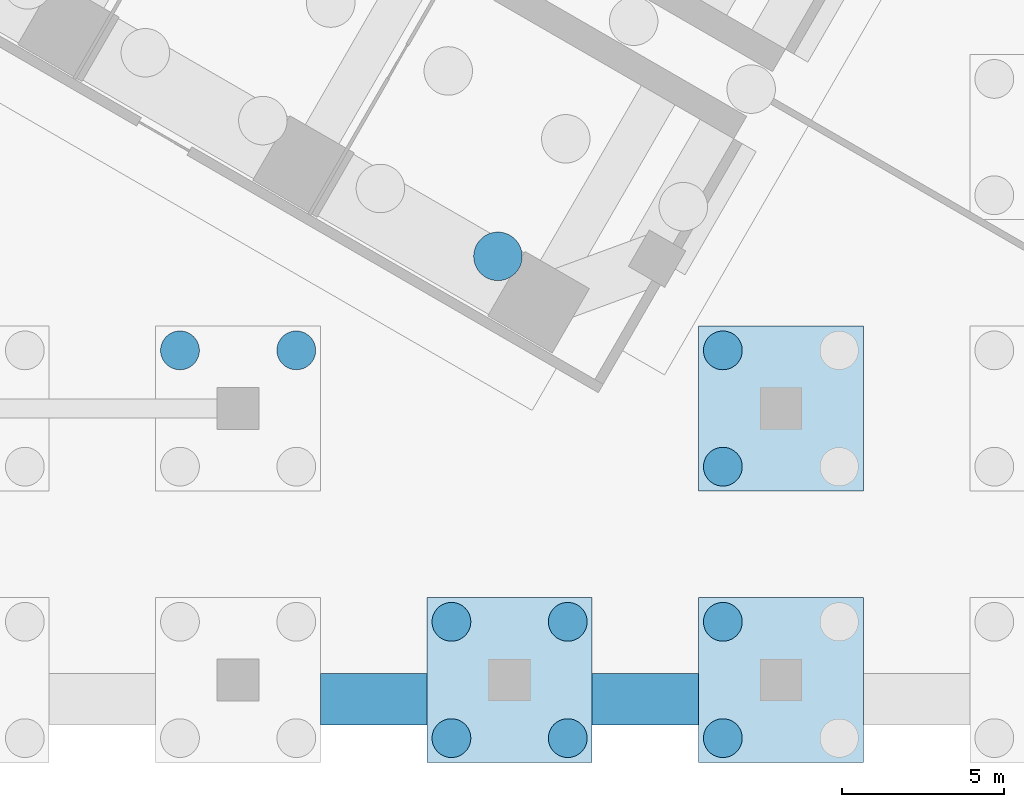
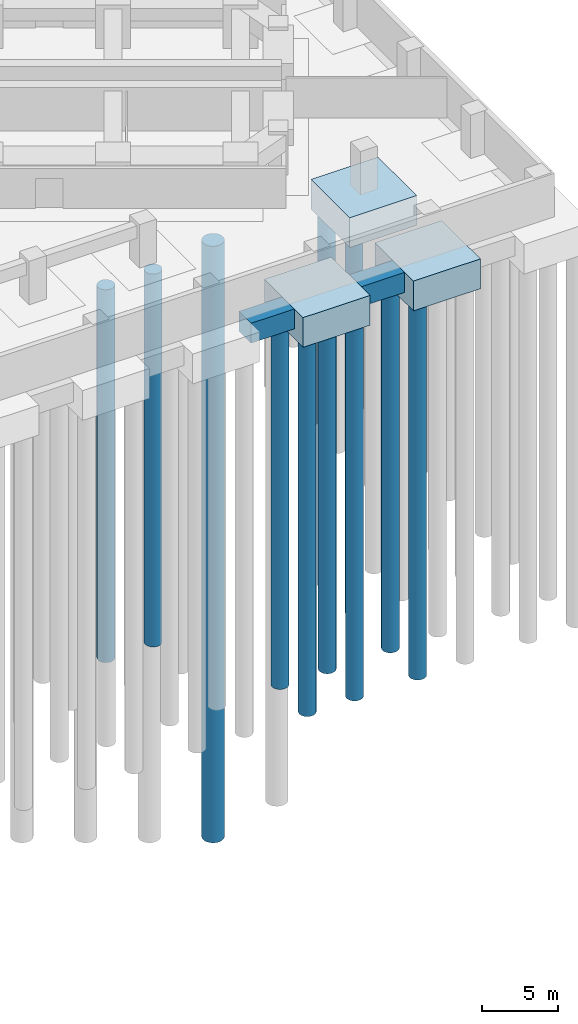
# One storey, part 21 of 73: 11 piles, 5 footings.
"""IFC4 building model written with IfcOpenShell, lengths in metres."""

from ifc_helpers import new_model, si_unit, direction, frame, origin, origin_2d, place, context, subcontext, project, spatial, polyline, circle, outline, extrude, material, material_profile, profile_set, type_object, element, save


model = new_model("IFC4")

# Units and contexts
model_context = context("Model", 3, precision=1e-05, world=origin(), true_north=direction((0.0, 1.0)))
body_context = subcontext(model_context, "Body", "Model", "MODEL_VIEW")
ifc_project = project(units=[si_unit("LENGTHUNIT", "METRE"), si_unit("AREAUNIT", "SQUARE_METRE"), si_unit("VOLUMEUNIT", "CUBIC_METRE"), si_unit("PLANEANGLEUNIT", "RADIAN"), si_unit("MASSUNIT", "GRAM", prefix="KILO")], contexts=[model_context])

# Site, building, storey
site_placement = place(None, origin())
site = spatial("IfcSite", under=ifc_project, at=site_placement, CompositionType="ELEMENT")
building_placement = place(site_placement, origin())
building = spatial("IfcBuilding", under=site, at=building_placement, Name="Impinga Residences", CompositionType="ELEMENT")
storey_placement = place(building_placement, frame((0.0, 0.0, -10.5)))
storey = spatial("IfcBuildingStorey", under=building, at=storey_placement, Name="B3", CompositionType="ELEMENT", Elevation=-10.5)

# Piles
ifc_material_1 = material(Name="Concrete C35/45", Category="concrete")
ifc_material_profile_1 = material_profile(ifc_material_1, circle(Radius=0.75, at=origin_2d()), Name="D1500")
ifc_profile_set_1 = profile_set([ifc_material_profile_1], Name="Concrete C35/45")
pile_type_1 = type_object("IfcPileType", Name="BP1 bored pile D1500", PredefinedType="BORED", material=ifc_profile_set_1)
pile_1_placement = place(storey_placement, frame((33.239501953125, -28.890380859375, -4.0), z_axis=(0.0, 0.0, -1.0), x_axis=(1.0, 0.0, 0.0)))
element("IfcPile", 1, at=pile_1_placement, inside=storey, type_object=pile_type_1, Name="Raft pile BP1-002", PredefinedType="BORED", context=body_context, shape_type="SweptSolid", body=[
    extrude(outline(polyline([(0.75, 0.0), (0.746337890625, 0.073486328125), (0.735595703125, 0.146240234375), (0.7177734375, 0.2177734375), (0.69287109375, 0.287109375), (0.661376953125, 0.353515625), (0.62353515625, 0.416748046875), (0.579833984375, 0.475830078125), (0.5302734375, 0.5302734375), (0.475830078125, 0.579833984375), (0.416748046875, 0.62353515625), (0.353515625, 0.661376953125), (0.287109375, 0.69287109375), (0.2177734375, 0.7177734375), (0.146240234375, 0.735595703125), (0.073486328125, 0.746337890625), (0.0, 0.75), (-0.073486328125, 0.746337890625), (-0.146240234375, 0.735595703125), (-0.2177734375, 0.7177734375), (-0.287109375, 0.69287109375), (-0.353515625, 0.661376953125), (-0.416748046875, 0.62353515625), (-0.475830078125, 0.579833984375), (-0.5302734375, 0.5302734375), (-0.579833984375, 0.475830078125), (-0.62353515625, 0.416748046875), (-0.661376953125, 0.353515625), (-0.69287109375, 0.287109375), (-0.7177734375, 0.2177734375), (-0.735595703125, 0.146240234375), (-0.746337890625, 0.073486328125), (-0.75, 0.0), (-0.746337890625, -0.073486328125), (-0.735595703125, -0.146240234375), (-0.7177734375, -0.2177734375), (-0.69287109375, -0.287109375), (-0.661376953125, -0.353515625), (-0.62353515625, -0.416748046875), (-0.579833984375, -0.475830078125), (-0.5302734375, -0.5302734375), (-0.475830078125, -0.579833984375), (-0.416748046875, -0.62353515625), (-0.353515625, -0.661376953125), (-0.287109375, -0.69287109375), (-0.2177734375, -0.7177734375), (-0.146240234375, -0.735595703125), (-0.073486328125, -0.746337890625), (0.0, -0.75), (0.073486328125, -0.746337890625), (0.146240234375, -0.735595703125), (0.2177734375, -0.7177734375), (0.287109375, -0.69287109375), (0.353515625, -0.661376953125), (0.416748046875, -0.62353515625), (0.475830078125, -0.579833984375), (0.5302734375, -0.5302734375), (0.579833984375, -0.475830078125), (0.62353515625, -0.416748046875), (0.661376953125, -0.353515625), (0.69287109375, -0.287109375), (0.7177734375, -0.2177734375), (0.735595703125, -0.146240234375), (0.746337890625, -0.073486328125), (0.75, 0.0)])), origin(), (0.0, 0.0, 1.0), 48.0),
])
ifc_material_profile_2 = material_profile(ifc_material_1, circle(Radius=0.60009765625, at=origin_2d()), Name="D1200")
ifc_profile_set_2 = profile_set([ifc_material_profile_2], Name="Concrete C35/45")
pile_type_2 = type_object("IfcPileType", Name="BP2 bored pile D1200", PredefinedType="BORED", material=ifc_profile_set_2)
pile_2_placement = place(storey_placement, frame((27.0, -31.800048828125, -2.39990234375), z_axis=(0.0, 0.0, -1.0), x_axis=(1.0, 0.0, 0.0)))
element("IfcPile", 2, at=pile_2_placement, inside=storey, type_object=pile_type_2, Name="Cap pile BP2 10/B-3", PredefinedType="BORED", context=body_context, shape_type="SweptSolid", body=[
    extrude(outline(polyline([(0.60009765625, 0.0), (0.59716796875, 0.058837890625), (0.58837890625, 0.116943359375), (0.57421875, 0.174072265625), (0.554443359375, 0.2294921875), (0.529052734375, 0.282958984375), (0.498779296875, 0.333251953125), (0.4638671875, 0.380615234375), (0.42431640625, 0.42431640625), (0.380615234375, 0.4638671875), (0.333251953125, 0.498779296875), (0.282958984375, 0.529052734375), (0.2294921875, 0.554443359375), (0.174072265625, 0.57421875), (0.116943359375, 0.58837890625), (0.058837890625, 0.59716796875), (0.0, 0.60009765625), (-0.058837890625, 0.59716796875), (-0.116943359375, 0.58837890625), (-0.174072265625, 0.57421875), (-0.2294921875, 0.554443359375), (-0.282958984375, 0.529052734375), (-0.333251953125, 0.498779296875), (-0.380615234375, 0.4638671875), (-0.42431640625, 0.42431640625), (-0.4638671875, 0.380615234375), (-0.498779296875, 0.333251953125), (-0.529052734375, 0.282958984375), (-0.554443359375, 0.2294921875), (-0.57421875, 0.174072265625), (-0.58837890625, 0.116943359375), (-0.59716796875, 0.058837890625), (-0.60009765625, 0.0), (-0.59716796875, -0.058837890625), (-0.58837890625, -0.116943359375), (-0.57421875, -0.174072265625), (-0.554443359375, -0.2294921875), (-0.529052734375, -0.282958984375), (-0.498779296875, -0.333251953125), (-0.4638671875, -0.380615234375), (-0.42431640625, -0.42431640625), (-0.380615234375, -0.4638671875), (-0.333251953125, -0.498779296875), (-0.282958984375, -0.529052734375), (-0.2294921875, -0.554443359375), (-0.174072265625, -0.57421875), (-0.116943359375, -0.58837890625), (-0.058837890625, -0.59716796875), (0.0, -0.60009765625), (0.058837890625, -0.59716796875), (0.116943359375, -0.58837890625), (0.174072265625, -0.57421875), (0.2294921875, -0.554443359375), (0.282958984375, -0.529052734375), (0.333251953125, -0.498779296875), (0.380615234375, -0.4638671875), (0.42431640625, -0.42431640625), (0.4638671875, -0.380615234375), (0.498779296875, -0.333251953125), (0.529052734375, -0.282958984375), (0.554443359375, -0.2294921875), (0.57421875, -0.174072265625), (0.58837890625, -0.116943359375), (0.59716796875, -0.058837890625), (0.60009765625, 0.0)])), origin(), (0.0, 0.0, 1.0), 30.0),
])
pile_3_placement = place(storey_placement, frame((23.39990234375, -31.800048828125, -2.39990234375), z_axis=(0.0, 0.0, -1.0), x_axis=(1.0, 0.0, 0.0)))
element("IfcPile", 3, at=pile_3_placement, inside=storey, type_object=pile_type_2, Name="Cap pile BP2 10/B-4", PredefinedType="BORED", context=body_context, shape_type="SweptSolid", body=[
    extrude(outline(polyline([(0.60009765625, 0.0), (0.59716796875, 0.058837890625), (0.58837890625, 0.116943359375), (0.57421875, 0.174072265625), (0.554443359375, 0.2294921875), (0.529052734375, 0.282958984375), (0.498779296875, 0.333251953125), (0.4638671875, 0.380615234375), (0.42431640625, 0.42431640625), (0.380615234375, 0.4638671875), (0.333251953125, 0.498779296875), (0.282958984375, 0.529052734375), (0.2294921875, 0.554443359375), (0.174072265625, 0.57421875), (0.116943359375, 0.58837890625), (0.058837890625, 0.59716796875), (0.0, 0.60009765625), (-0.058837890625, 0.59716796875), (-0.116943359375, 0.58837890625), (-0.174072265625, 0.57421875), (-0.2294921875, 0.554443359375), (-0.282958984375, 0.529052734375), (-0.333251953125, 0.498779296875), (-0.380615234375, 0.4638671875), (-0.42431640625, 0.42431640625), (-0.4638671875, 0.380615234375), (-0.498779296875, 0.333251953125), (-0.529052734375, 0.282958984375), (-0.554443359375, 0.2294921875), (-0.57421875, 0.174072265625), (-0.58837890625, 0.116943359375), (-0.59716796875, 0.058837890625), (-0.60009765625, 0.0), (-0.59716796875, -0.058837890625), (-0.58837890625, -0.116943359375), (-0.57421875, -0.174072265625), (-0.554443359375, -0.2294921875), (-0.529052734375, -0.282958984375), (-0.498779296875, -0.333251953125), (-0.4638671875, -0.380615234375), (-0.42431640625, -0.42431640625), (-0.380615234375, -0.4638671875), (-0.333251953125, -0.498779296875), (-0.282958984375, -0.529052734375), (-0.2294921875, -0.554443359375), (-0.174072265625, -0.57421875), (-0.116943359375, -0.58837890625), (-0.058837890625, -0.59716796875), (0.0, -0.60009765625), (0.058837890625, -0.59716796875), (0.116943359375, -0.58837890625), (0.174072265625, -0.57421875), (0.2294921875, -0.554443359375), (0.282958984375, -0.529052734375), (0.333251953125, -0.498779296875), (0.380615234375, -0.4638671875), (0.42431640625, -0.42431640625), (0.4638671875, -0.380615234375), (0.498779296875, -0.333251953125), (0.529052734375, -0.282958984375), (0.554443359375, -0.2294921875), (0.57421875, -0.174072265625), (0.58837890625, -0.116943359375), (0.59716796875, -0.058837890625), (0.60009765625, 0.0)])), origin(), (0.0, 0.0, 1.0), 30.0),
])
pile_4_placement = place(storey_placement, frame((31.800048828125, -43.800048828125, -2.39990234375), z_axis=(0.0, 0.0, -1.0), x_axis=(1.0, 0.0, 0.0)))
element("IfcPile", 4, at=pile_4_placement, inside=storey, type_object=pile_type_2, Name="Cap pile BP2 11/A-1", PredefinedType="BORED", context=body_context, shape_type="SweptSolid", body=[
    extrude(outline(polyline([(0.60009765625, 0.0), (0.59716796875, 0.058837890625), (0.58837890625, 0.116943359375), (0.57421875, 0.174072265625), (0.554443359375, 0.2294921875), (0.529052734375, 0.282958984375), (0.498779296875, 0.333251953125), (0.4638671875, 0.380615234375), (0.42431640625, 0.42431640625), (0.380615234375, 0.4638671875), (0.333251953125, 0.498779296875), (0.282958984375, 0.529052734375), (0.2294921875, 0.554443359375), (0.174072265625, 0.57421875), (0.116943359375, 0.58837890625), (0.058837890625, 0.59716796875), (0.0, 0.60009765625), (-0.058837890625, 0.59716796875), (-0.116943359375, 0.58837890625), (-0.174072265625, 0.57421875), (-0.2294921875, 0.554443359375), (-0.282958984375, 0.529052734375), (-0.333251953125, 0.498779296875), (-0.380615234375, 0.4638671875), (-0.42431640625, 0.42431640625), (-0.4638671875, 0.380615234375), (-0.498779296875, 0.333251953125), (-0.529052734375, 0.282958984375), (-0.554443359375, 0.2294921875), (-0.57421875, 0.174072265625), (-0.58837890625, 0.116943359375), (-0.59716796875, 0.058837890625), (-0.60009765625, 0.0), (-0.59716796875, -0.058837890625), (-0.58837890625, -0.116943359375), (-0.57421875, -0.174072265625), (-0.554443359375, -0.2294921875), (-0.529052734375, -0.282958984375), (-0.498779296875, -0.333251953125), (-0.4638671875, -0.380615234375), (-0.42431640625, -0.42431640625), (-0.380615234375, -0.4638671875), (-0.333251953125, -0.498779296875), (-0.282958984375, -0.529052734375), (-0.2294921875, -0.554443359375), (-0.174072265625, -0.57421875), (-0.116943359375, -0.58837890625), (-0.058837890625, -0.59716796875), (0.0, -0.60009765625), (0.058837890625, -0.59716796875), (0.116943359375, -0.58837890625), (0.174072265625, -0.57421875), (0.2294921875, -0.554443359375), (0.282958984375, -0.529052734375), (0.333251953125, -0.498779296875), (0.380615234375, -0.4638671875), (0.42431640625, -0.42431640625), (0.4638671875, -0.380615234375), (0.498779296875, -0.333251953125), (0.529052734375, -0.282958984375), (0.554443359375, -0.2294921875), (0.57421875, -0.174072265625), (0.58837890625, -0.116943359375), (0.59716796875, -0.058837890625), (0.60009765625, 0.0)])), origin(), (0.0, 0.0, 1.0), 30.0),
])
pile_5_placement = place(storey_placement, frame((35.39990234375, -43.800048828125, -2.39990234375), z_axis=(0.0, 0.0, -1.0), x_axis=(1.0, 0.0, 0.0)))
element("IfcPile", 5, at=pile_5_placement, inside=storey, type_object=pile_type_2, Name="Cap pile BP2 11/A-2", PredefinedType="BORED", context=body_context, shape_type="SweptSolid", body=[
    extrude(outline(polyline([(0.60009765625, 0.0), (0.59716796875, 0.058837890625), (0.58837890625, 0.116943359375), (0.57421875, 0.174072265625), (0.554443359375, 0.2294921875), (0.529052734375, 0.282958984375), (0.498779296875, 0.333251953125), (0.4638671875, 0.380615234375), (0.42431640625, 0.42431640625), (0.380615234375, 0.4638671875), (0.333251953125, 0.498779296875), (0.282958984375, 0.529052734375), (0.2294921875, 0.554443359375), (0.174072265625, 0.57421875), (0.116943359375, 0.58837890625), (0.058837890625, 0.59716796875), (0.0, 0.60009765625), (-0.058837890625, 0.59716796875), (-0.116943359375, 0.58837890625), (-0.174072265625, 0.57421875), (-0.2294921875, 0.554443359375), (-0.282958984375, 0.529052734375), (-0.333251953125, 0.498779296875), (-0.380615234375, 0.4638671875), (-0.42431640625, 0.42431640625), (-0.4638671875, 0.380615234375), (-0.498779296875, 0.333251953125), (-0.529052734375, 0.282958984375), (-0.554443359375, 0.2294921875), (-0.57421875, 0.174072265625), (-0.58837890625, 0.116943359375), (-0.59716796875, 0.058837890625), (-0.60009765625, 0.0), (-0.59716796875, -0.058837890625), (-0.58837890625, -0.116943359375), (-0.57421875, -0.174072265625), (-0.554443359375, -0.2294921875), (-0.529052734375, -0.282958984375), (-0.498779296875, -0.333251953125), (-0.4638671875, -0.380615234375), (-0.42431640625, -0.42431640625), (-0.380615234375, -0.4638671875), (-0.333251953125, -0.498779296875), (-0.282958984375, -0.529052734375), (-0.2294921875, -0.554443359375), (-0.174072265625, -0.57421875), (-0.116943359375, -0.58837890625), (-0.058837890625, -0.59716796875), (0.0, -0.60009765625), (0.058837890625, -0.59716796875), (0.116943359375, -0.58837890625), (0.174072265625, -0.57421875), (0.2294921875, -0.554443359375), (0.282958984375, -0.529052734375), (0.333251953125, -0.498779296875), (0.380615234375, -0.4638671875), (0.42431640625, -0.42431640625), (0.4638671875, -0.380615234375), (0.498779296875, -0.333251953125), (0.529052734375, -0.282958984375), (0.554443359375, -0.2294921875), (0.57421875, -0.174072265625), (0.58837890625, -0.116943359375), (0.59716796875, -0.058837890625), (0.60009765625, 0.0)])), origin(), (0.0, 0.0, 1.0), 30.0),
])
pile_6_placement = place(storey_placement, frame((35.39990234375, -40.199951171875, -2.39990234375), z_axis=(0.0, 0.0, -1.0), x_axis=(1.0, 0.0, 0.0)))
element("IfcPile", 6, at=pile_6_placement, inside=storey, type_object=pile_type_2, Name="Cap pile BP2 11/A-3", PredefinedType="BORED", context=body_context, shape_type="SweptSolid", body=[
    extrude(outline(polyline([(0.60009765625, 0.0), (0.59716796875, 0.058837890625), (0.58837890625, 0.116943359375), (0.57421875, 0.174072265625), (0.554443359375, 0.2294921875), (0.529052734375, 0.282958984375), (0.498779296875, 0.333251953125), (0.4638671875, 0.380615234375), (0.42431640625, 0.42431640625), (0.380615234375, 0.4638671875), (0.333251953125, 0.498779296875), (0.282958984375, 0.529052734375), (0.2294921875, 0.554443359375), (0.174072265625, 0.57421875), (0.116943359375, 0.58837890625), (0.058837890625, 0.59716796875), (0.0, 0.60009765625), (-0.058837890625, 0.59716796875), (-0.116943359375, 0.58837890625), (-0.174072265625, 0.57421875), (-0.2294921875, 0.554443359375), (-0.282958984375, 0.529052734375), (-0.333251953125, 0.498779296875), (-0.380615234375, 0.4638671875), (-0.42431640625, 0.42431640625), (-0.4638671875, 0.380615234375), (-0.498779296875, 0.333251953125), (-0.529052734375, 0.282958984375), (-0.554443359375, 0.2294921875), (-0.57421875, 0.174072265625), (-0.58837890625, 0.116943359375), (-0.59716796875, 0.058837890625), (-0.60009765625, 0.0), (-0.59716796875, -0.058837890625), (-0.58837890625, -0.116943359375), (-0.57421875, -0.174072265625), (-0.554443359375, -0.2294921875), (-0.529052734375, -0.282958984375), (-0.498779296875, -0.333251953125), (-0.4638671875, -0.380615234375), (-0.42431640625, -0.42431640625), (-0.380615234375, -0.4638671875), (-0.333251953125, -0.498779296875), (-0.282958984375, -0.529052734375), (-0.2294921875, -0.554443359375), (-0.174072265625, -0.57421875), (-0.116943359375, -0.58837890625), (-0.058837890625, -0.59716796875), (0.0, -0.60009765625), (0.058837890625, -0.59716796875), (0.116943359375, -0.58837890625), (0.174072265625, -0.57421875), (0.2294921875, -0.554443359375), (0.282958984375, -0.529052734375), (0.333251953125, -0.498779296875), (0.380615234375, -0.4638671875), (0.42431640625, -0.42431640625), (0.4638671875, -0.380615234375), (0.498779296875, -0.333251953125), (0.529052734375, -0.282958984375), (0.554443359375, -0.2294921875), (0.57421875, -0.174072265625), (0.58837890625, -0.116943359375), (0.59716796875, -0.058837890625), (0.60009765625, 0.0)])), origin(), (0.0, 0.0, 1.0), 30.0),
])
pile_7_placement = place(storey_placement, frame((31.800048828125, -40.199951171875, -2.39990234375), z_axis=(0.0, 0.0, -1.0), x_axis=(1.0, 0.0, 0.0)))
element("IfcPile", 7, at=pile_7_placement, inside=storey, type_object=pile_type_2, Name="Cap pile BP2 11/A-4", PredefinedType="BORED", context=body_context, shape_type="SweptSolid", body=[
    extrude(outline(polyline([(0.60009765625, 0.0), (0.59716796875, 0.058837890625), (0.58837890625, 0.116943359375), (0.57421875, 0.174072265625), (0.554443359375, 0.2294921875), (0.529052734375, 0.282958984375), (0.498779296875, 0.333251953125), (0.4638671875, 0.380615234375), (0.42431640625, 0.42431640625), (0.380615234375, 0.4638671875), (0.333251953125, 0.498779296875), (0.282958984375, 0.529052734375), (0.2294921875, 0.554443359375), (0.174072265625, 0.57421875), (0.116943359375, 0.58837890625), (0.058837890625, 0.59716796875), (0.0, 0.60009765625), (-0.058837890625, 0.59716796875), (-0.116943359375, 0.58837890625), (-0.174072265625, 0.57421875), (-0.2294921875, 0.554443359375), (-0.282958984375, 0.529052734375), (-0.333251953125, 0.498779296875), (-0.380615234375, 0.4638671875), (-0.42431640625, 0.42431640625), (-0.4638671875, 0.380615234375), (-0.498779296875, 0.333251953125), (-0.529052734375, 0.282958984375), (-0.554443359375, 0.2294921875), (-0.57421875, 0.174072265625), (-0.58837890625, 0.116943359375), (-0.59716796875, 0.058837890625), (-0.60009765625, 0.0), (-0.59716796875, -0.058837890625), (-0.58837890625, -0.116943359375), (-0.57421875, -0.174072265625), (-0.554443359375, -0.2294921875), (-0.529052734375, -0.282958984375), (-0.498779296875, -0.333251953125), (-0.4638671875, -0.380615234375), (-0.42431640625, -0.42431640625), (-0.380615234375, -0.4638671875), (-0.333251953125, -0.498779296875), (-0.282958984375, -0.529052734375), (-0.2294921875, -0.554443359375), (-0.174072265625, -0.57421875), (-0.116943359375, -0.58837890625), (-0.058837890625, -0.59716796875), (0.0, -0.60009765625), (0.058837890625, -0.59716796875), (0.116943359375, -0.58837890625), (0.174072265625, -0.57421875), (0.2294921875, -0.554443359375), (0.282958984375, -0.529052734375), (0.333251953125, -0.498779296875), (0.380615234375, -0.4638671875), (0.42431640625, -0.42431640625), (0.4638671875, -0.380615234375), (0.498779296875, -0.333251953125), (0.529052734375, -0.282958984375), (0.554443359375, -0.2294921875), (0.57421875, -0.174072265625), (0.58837890625, -0.116943359375), (0.59716796875, -0.058837890625), (0.60009765625, 0.0)])), origin(), (0.0, 0.0, 1.0), 30.0),
])
pile_8_placement = place(storey_placement, frame((40.199951171875, -43.800048828125, -2.39990234375), z_axis=(0.0, 0.0, -1.0), x_axis=(1.0, 0.0, 0.0)))
element("IfcPile", 8, at=pile_8_placement, inside=storey, type_object=pile_type_2, Name="Cap pile BP2 12/A-1", PredefinedType="BORED", context=body_context, shape_type="SweptSolid", body=[
    extrude(outline(polyline([(0.60009765625, 0.0), (0.59716796875, 0.058837890625), (0.58837890625, 0.116943359375), (0.57421875, 0.174072265625), (0.554443359375, 0.2294921875), (0.529052734375, 0.282958984375), (0.498779296875, 0.333251953125), (0.4638671875, 0.380615234375), (0.42431640625, 0.42431640625), (0.380615234375, 0.4638671875), (0.333251953125, 0.498779296875), (0.282958984375, 0.529052734375), (0.2294921875, 0.554443359375), (0.174072265625, 0.57421875), (0.116943359375, 0.58837890625), (0.058837890625, 0.59716796875), (0.0, 0.60009765625), (-0.058837890625, 0.59716796875), (-0.116943359375, 0.58837890625), (-0.174072265625, 0.57421875), (-0.2294921875, 0.554443359375), (-0.282958984375, 0.529052734375), (-0.333251953125, 0.498779296875), (-0.380615234375, 0.4638671875), (-0.42431640625, 0.42431640625), (-0.4638671875, 0.380615234375), (-0.498779296875, 0.333251953125), (-0.529052734375, 0.282958984375), (-0.554443359375, 0.2294921875), (-0.57421875, 0.174072265625), (-0.58837890625, 0.116943359375), (-0.59716796875, 0.058837890625), (-0.60009765625, 0.0), (-0.59716796875, -0.058837890625), (-0.58837890625, -0.116943359375), (-0.57421875, -0.174072265625), (-0.554443359375, -0.2294921875), (-0.529052734375, -0.282958984375), (-0.498779296875, -0.333251953125), (-0.4638671875, -0.380615234375), (-0.42431640625, -0.42431640625), (-0.380615234375, -0.4638671875), (-0.333251953125, -0.498779296875), (-0.282958984375, -0.529052734375), (-0.2294921875, -0.554443359375), (-0.174072265625, -0.57421875), (-0.116943359375, -0.58837890625), (-0.058837890625, -0.59716796875), (0.0, -0.60009765625), (0.058837890625, -0.59716796875), (0.116943359375, -0.58837890625), (0.174072265625, -0.57421875), (0.2294921875, -0.554443359375), (0.282958984375, -0.529052734375), (0.333251953125, -0.498779296875), (0.380615234375, -0.4638671875), (0.42431640625, -0.42431640625), (0.4638671875, -0.380615234375), (0.498779296875, -0.333251953125), (0.529052734375, -0.282958984375), (0.554443359375, -0.2294921875), (0.57421875, -0.174072265625), (0.58837890625, -0.116943359375), (0.59716796875, -0.058837890625), (0.60009765625, 0.0)])), origin(), (0.0, 0.0, 1.0), 30.0),
])
pile_9_placement = place(storey_placement, frame((40.199951171875, -40.199951171875, -2.39990234375), z_axis=(0.0, 0.0, -1.0), x_axis=(1.0, 0.0, 0.0)))
element("IfcPile", 9, at=pile_9_placement, inside=storey, type_object=pile_type_2, Name="Cap pile BP2 12/A-4", PredefinedType="BORED", context=body_context, shape_type="SweptSolid", body=[
    extrude(outline(polyline([(0.60009765625, 0.0), (0.59716796875, 0.058837890625), (0.58837890625, 0.116943359375), (0.57421875, 0.174072265625), (0.554443359375, 0.2294921875), (0.529052734375, 0.282958984375), (0.498779296875, 0.333251953125), (0.4638671875, 0.380615234375), (0.42431640625, 0.42431640625), (0.380615234375, 0.4638671875), (0.333251953125, 0.498779296875), (0.282958984375, 0.529052734375), (0.2294921875, 0.554443359375), (0.174072265625, 0.57421875), (0.116943359375, 0.58837890625), (0.058837890625, 0.59716796875), (0.0, 0.60009765625), (-0.058837890625, 0.59716796875), (-0.116943359375, 0.58837890625), (-0.174072265625, 0.57421875), (-0.2294921875, 0.554443359375), (-0.282958984375, 0.529052734375), (-0.333251953125, 0.498779296875), (-0.380615234375, 0.4638671875), (-0.42431640625, 0.42431640625), (-0.4638671875, 0.380615234375), (-0.498779296875, 0.333251953125), (-0.529052734375, 0.282958984375), (-0.554443359375, 0.2294921875), (-0.57421875, 0.174072265625), (-0.58837890625, 0.116943359375), (-0.59716796875, 0.058837890625), (-0.60009765625, 0.0), (-0.59716796875, -0.058837890625), (-0.58837890625, -0.116943359375), (-0.57421875, -0.174072265625), (-0.554443359375, -0.2294921875), (-0.529052734375, -0.282958984375), (-0.498779296875, -0.333251953125), (-0.4638671875, -0.380615234375), (-0.42431640625, -0.42431640625), (-0.380615234375, -0.4638671875), (-0.333251953125, -0.498779296875), (-0.282958984375, -0.529052734375), (-0.2294921875, -0.554443359375), (-0.174072265625, -0.57421875), (-0.116943359375, -0.58837890625), (-0.058837890625, -0.59716796875), (0.0, -0.60009765625), (0.058837890625, -0.59716796875), (0.116943359375, -0.58837890625), (0.174072265625, -0.57421875), (0.2294921875, -0.554443359375), (0.282958984375, -0.529052734375), (0.333251953125, -0.498779296875), (0.380615234375, -0.4638671875), (0.42431640625, -0.42431640625), (0.4638671875, -0.380615234375), (0.498779296875, -0.333251953125), (0.529052734375, -0.282958984375), (0.554443359375, -0.2294921875), (0.57421875, -0.174072265625), (0.58837890625, -0.116943359375), (0.59716796875, -0.058837890625), (0.60009765625, 0.0)])), origin(), (0.0, 0.0, 1.0), 30.0),
])
pile_10_placement = place(storey_placement, frame((40.199951171875, -35.39990234375, -2.39990234375), z_axis=(0.0, 0.0, -1.0), x_axis=(1.0, 0.0, 0.0)))
element("IfcPile", 10, at=pile_10_placement, inside=storey, type_object=pile_type_2, Name="Cap pile BP2 12/B-1", PredefinedType="BORED", context=body_context, shape_type="SweptSolid", body=[
    extrude(outline(polyline([(0.60009765625, 0.0), (0.59716796875, 0.058837890625), (0.58837890625, 0.116943359375), (0.57421875, 0.174072265625), (0.554443359375, 0.2294921875), (0.529052734375, 0.282958984375), (0.498779296875, 0.333251953125), (0.4638671875, 0.380615234375), (0.42431640625, 0.42431640625), (0.380615234375, 0.4638671875), (0.333251953125, 0.498779296875), (0.282958984375, 0.529052734375), (0.2294921875, 0.554443359375), (0.174072265625, 0.57421875), (0.116943359375, 0.58837890625), (0.058837890625, 0.59716796875), (0.0, 0.60009765625), (-0.058837890625, 0.59716796875), (-0.116943359375, 0.58837890625), (-0.174072265625, 0.57421875), (-0.2294921875, 0.554443359375), (-0.282958984375, 0.529052734375), (-0.333251953125, 0.498779296875), (-0.380615234375, 0.4638671875), (-0.42431640625, 0.42431640625), (-0.4638671875, 0.380615234375), (-0.498779296875, 0.333251953125), (-0.529052734375, 0.282958984375), (-0.554443359375, 0.2294921875), (-0.57421875, 0.174072265625), (-0.58837890625, 0.116943359375), (-0.59716796875, 0.058837890625), (-0.60009765625, 0.0), (-0.59716796875, -0.058837890625), (-0.58837890625, -0.116943359375), (-0.57421875, -0.174072265625), (-0.554443359375, -0.2294921875), (-0.529052734375, -0.282958984375), (-0.498779296875, -0.333251953125), (-0.4638671875, -0.380615234375), (-0.42431640625, -0.42431640625), (-0.380615234375, -0.4638671875), (-0.333251953125, -0.498779296875), (-0.282958984375, -0.529052734375), (-0.2294921875, -0.554443359375), (-0.174072265625, -0.57421875), (-0.116943359375, -0.58837890625), (-0.058837890625, -0.59716796875), (0.0, -0.60009765625), (0.058837890625, -0.59716796875), (0.116943359375, -0.58837890625), (0.174072265625, -0.57421875), (0.2294921875, -0.554443359375), (0.282958984375, -0.529052734375), (0.333251953125, -0.498779296875), (0.380615234375, -0.4638671875), (0.42431640625, -0.42431640625), (0.4638671875, -0.380615234375), (0.498779296875, -0.333251953125), (0.529052734375, -0.282958984375), (0.554443359375, -0.2294921875), (0.57421875, -0.174072265625), (0.58837890625, -0.116943359375), (0.59716796875, -0.058837890625), (0.60009765625, 0.0)])), origin(), (0.0, 0.0, 1.0), 30.0),
])
pile_11_placement = place(storey_placement, frame((40.199951171875, -31.800048828125, -2.39990234375), z_axis=(0.0, 0.0, -1.0), x_axis=(1.0, 0.0, 0.0)))
element("IfcPile", 11, at=pile_11_placement, inside=storey, type_object=pile_type_2, Name="Cap pile BP2 12/B-4", PredefinedType="BORED", context=body_context, shape_type="SweptSolid", body=[
    extrude(outline(polyline([(0.60009765625, 0.0), (0.59716796875, 0.058837890625), (0.58837890625, 0.116943359375), (0.57421875, 0.174072265625), (0.554443359375, 0.2294921875), (0.529052734375, 0.282958984375), (0.498779296875, 0.333251953125), (0.4638671875, 0.380615234375), (0.42431640625, 0.42431640625), (0.380615234375, 0.4638671875), (0.333251953125, 0.498779296875), (0.282958984375, 0.529052734375), (0.2294921875, 0.554443359375), (0.174072265625, 0.57421875), (0.116943359375, 0.58837890625), (0.058837890625, 0.59716796875), (0.0, 0.60009765625), (-0.058837890625, 0.59716796875), (-0.116943359375, 0.58837890625), (-0.174072265625, 0.57421875), (-0.2294921875, 0.554443359375), (-0.282958984375, 0.529052734375), (-0.333251953125, 0.498779296875), (-0.380615234375, 0.4638671875), (-0.42431640625, 0.42431640625), (-0.4638671875, 0.380615234375), (-0.498779296875, 0.333251953125), (-0.529052734375, 0.282958984375), (-0.554443359375, 0.2294921875), (-0.57421875, 0.174072265625), (-0.58837890625, 0.116943359375), (-0.59716796875, 0.058837890625), (-0.60009765625, 0.0), (-0.59716796875, -0.058837890625), (-0.58837890625, -0.116943359375), (-0.57421875, -0.174072265625), (-0.554443359375, -0.2294921875), (-0.529052734375, -0.282958984375), (-0.498779296875, -0.333251953125), (-0.4638671875, -0.380615234375), (-0.42431640625, -0.42431640625), (-0.380615234375, -0.4638671875), (-0.333251953125, -0.498779296875), (-0.282958984375, -0.529052734375), (-0.2294921875, -0.554443359375), (-0.174072265625, -0.57421875), (-0.116943359375, -0.58837890625), (-0.058837890625, -0.59716796875), (0.0, -0.60009765625), (0.058837890625, -0.59716796875), (0.116943359375, -0.58837890625), (0.174072265625, -0.57421875), (0.2294921875, -0.554443359375), (0.282958984375, -0.529052734375), (0.333251953125, -0.498779296875), (0.380615234375, -0.4638671875), (0.42431640625, -0.42431640625), (0.4638671875, -0.380615234375), (0.498779296875, -0.333251953125), (0.529052734375, -0.282958984375), (0.554443359375, -0.2294921875), (0.57421875, -0.174072265625), (0.58837890625, -0.116943359375), (0.59716796875, -0.058837890625), (0.60009765625, 0.0)])), origin(), (0.0, 0.0, 1.0), 30.0),
])

# Footings
ifc_material_2 = material(Name="Concrete C45/55", Category="concrete")
footing_type_1 = type_object("IfcFootingType", Name="PC4 four-pile cap 5100 square 2400 deep", PredefinedType="PILE_CAP", material=ifc_material_2)
footing_1_placement = place(storey_placement, frame((0.0, 0.0, -2.39990234375)))
element("IfcFooting", 12, at=footing_1_placement, inside=storey, type_object=footing_type_1, Name="Pile cap PC4 11/A", PredefinedType="PILE_CAP", context=body_context, shape_type="SweptSolid", body=[
    extrude(outline(polyline([(36.14990234375, -44.550048828125), (36.14990234375, -39.449951171875), (31.050048828125, -39.449951171875), (31.050048828125, -44.550048828125), (36.14990234375, -44.550048828125)])), origin(), (0.0, 0.0, 1.0), 2.39990234375),
])
footing_2_placement = place(storey_placement, frame((0.0, 0.0, -2.39990234375)))
element("IfcFooting", 13, at=footing_2_placement, inside=storey, type_object=footing_type_1, Name="Pile cap PC4 12/A", PredefinedType="PILE_CAP", context=body_context, shape_type="SweptSolid", body=[
    extrude(outline(polyline([(44.550048828125, -44.550048828125), (44.550048828125, -39.449951171875), (39.449951171875, -39.449951171875), (39.449951171875, -44.550048828125), (44.550048828125, -44.550048828125)])), origin(), (0.0, 0.0, 1.0), 2.39990234375),
])
footing_3_placement = place(storey_placement, frame((0.0, 0.0, -2.39990234375)))
element("IfcFooting", 14, at=footing_3_placement, inside=storey, type_object=footing_type_1, Name="Pile cap PC4 12/B", PredefinedType="PILE_CAP", context=body_context, shape_type="SweptSolid", body=[
    extrude(outline(polyline([(44.550048828125, -36.14990234375), (44.550048828125, -31.050048828125), (39.449951171875, -31.050048828125), (39.449951171875, -36.14990234375), (44.550048828125, -36.14990234375)])), origin(), (0.0, 0.0, 1.0), 2.39990234375),
])
footing_type_2 = type_object("IfcFootingType", Name="SF1 strip footing 1600 wide 1600 deep", PredefinedType="STRIP_FOOTING", material=ifc_material_2)
footing_4_placement = place(storey_placement, frame((0.0, 0.0, -1.60009765625)))
element("IfcFooting", 15, at=footing_4_placement, inside=storey, type_object=footing_type_2, Name="Strip footing SF1 S 2", PredefinedType="STRIP_FOOTING", context=body_context, shape_type="SweptSolid", body=[
    extrude(outline(polyline([(36.14990234375, -43.39990234375), (36.14990234375, -41.800048828125), (39.449951171875, -41.800048828125), (39.449951171875, -43.39990234375), (36.14990234375, -43.39990234375)])), origin(), (0.0, 0.0, 1.0), 1.60009765625),
])
footing_5_placement = place(storey_placement, frame((0.0, 0.0, -1.60009765625)))
element("IfcFooting", 16, at=footing_5_placement, inside=storey, type_object=footing_type_2, Name="Strip footing SF1 S 3", PredefinedType="STRIP_FOOTING", context=body_context, shape_type="SweptSolid", body=[
    extrude(outline(polyline([(27.75, -43.39990234375), (27.75, -41.800048828125), (31.050048828125, -41.800048828125), (31.050048828125, -43.39990234375), (27.75, -43.39990234375)])), origin(), (0.0, 0.0, 1.0), 1.60009765625),
])

save(model, "model.ifc")
